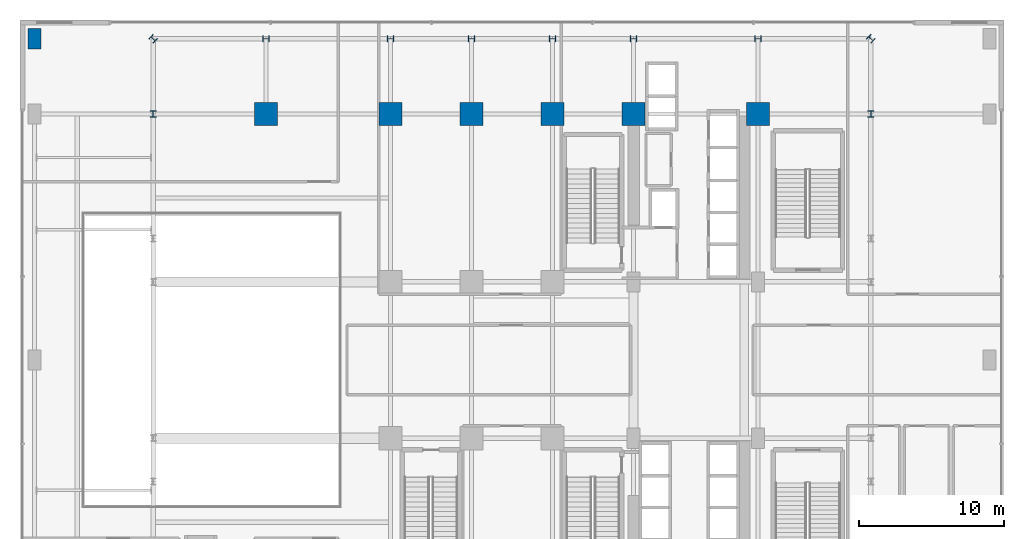
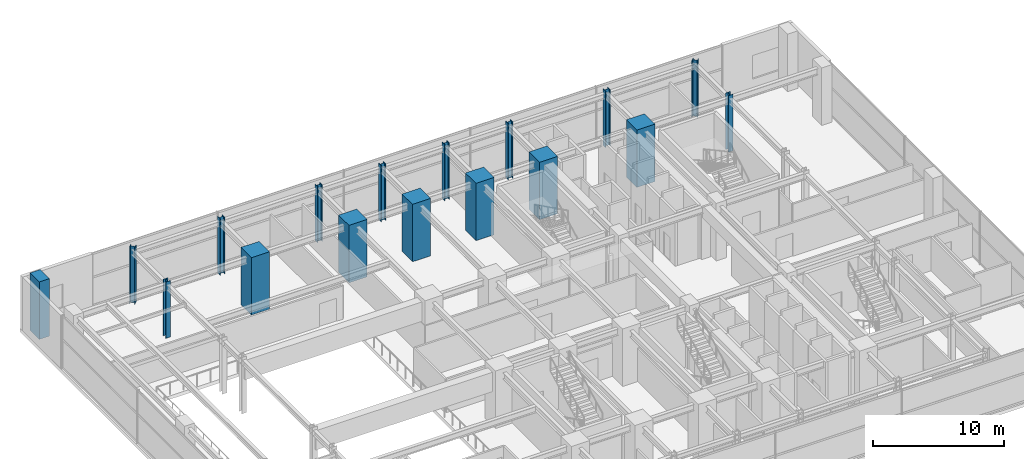
# One storey, part 2 of 35: 17 columns.
"""IFC4 building model written with IfcOpenShell, lengths in metres."""

from ifc_helpers import new_model, si_unit, direction, frame, origin, origin_2d, place, context, subcontext, project, spatial, rectangle, i_section, extrude, source, transform, mapped, material, material_profile, profile_set, type_object, element, save


model = new_model("IFC4")

# Units and contexts
model_context = context("Model", 3, precision=1e-05, world=origin(), true_north=direction((0.0, 1.0)))
body_context = subcontext(model_context, "Body", "Model", "MODEL_VIEW")
ifc_project = project(units=[si_unit("LENGTHUNIT", "METRE"), si_unit("AREAUNIT", "SQUARE_METRE"), si_unit("VOLUMEUNIT", "CUBIC_METRE"), si_unit("PLANEANGLEUNIT", "RADIAN"), si_unit("MASSUNIT", "GRAM", prefix="KILO")], contexts=[model_context])

# Site, building, storey
site_placement = place(None, origin())
site = spatial("IfcSite", under=ifc_project, at=site_placement, CompositionType="ELEMENT")
building_placement = place(site_placement, origin())
building = spatial("IfcBuilding", under=site, at=building_placement, Name="Nahalor Promenade Grand Hotel", CompositionType="ELEMENT")
storey_placement = place(building_placement, frame((0.0, 0.0, 21.60009765625)))
storey = spatial("IfcBuildingStorey", under=building, at=storey_placement, Name="L04", CompositionType="ELEMENT", Elevation=21.60009765625)

# Columns
ifc_material_1 = material(Name="Concrete B-70 (C60/75)", Category="concrete")
ifc_material_profile_1 = material_profile(ifc_material_1, rectangle(XDim=1.6, YDim=1.6, at=origin_2d()), Name="RC 1600x1600")
ifc_profile_set_1 = profile_set([ifc_material_profile_1], Name="Concrete B-70 (C60/75)")
column_type_1 = type_object("IfcColumnType", Name="Col-RC-1600", PredefinedType="COLUMN", material=ifc_profile_set_1)
shared_shape_1 = source(origin(), body_context, "Body", "SweptSolid", [
    extrude(rectangle(XDim=1.6, YDim=1.6, at=origin_2d()), origin(), (0.0, 0.0, 1.0), 5.35498046875),
])
for number, where, z_axis, x_axis, name in (
    (1, (-17.0, 17.0, 0.0), (0.0, 0.0, 1.0), (1.0, 0.0, 0.0), "COL-L04-I03"),
    (2, (-8.39990234375, 17.0, 0.0), (0.0, 0.0, 1.0), (1.0, 0.0, 0.0), "COL-L04-I13"),
    (3, (-2.800048828125, 17.0, 0.0), (0.0, 0.0, 1.0), (1.0, 0.0, 0.0), "COL-L04-I23"),
    (4, (2.800048828125, 17.0, 0.0), (0.0, 0.0, 1.0), (1.0, 0.0, 0.0), "COL-L04-I33"),
    (5, (8.39990234375, 17.0, 0.0), (0.0, 0.0, 1.0), (1.0, 0.0, 0.0), "COL-L04-I43"),
    (6, (17.0, 17.0, 0.0), (0.0, 0.0, 1.0), (1.0, 0.0, 0.0), "COL-L04-I53"),
):
    element("IfcColumn", number, at=place(storey_placement, frame(where, z_axis=z_axis, x_axis=x_axis)), inside=storey, type_object=column_type_1, Name=name, PredefinedType="COLUMN", context=body_context, shape_type="MappedRepresentation", body=[
        mapped(shared_shape_1, transform((0.0, 0.0, 0.0), scale=1.0)),
    ])
ifc_material_2 = material(Name="Concrete B-60 (C50/60)", Category="concrete")
ifc_material_profile_2 = material_profile(ifc_material_2, rectangle(XDim=0.9, YDim=1.4, at=origin_2d()), Name="RC 900x1400")
ifc_profile_set_2 = profile_set([ifc_material_profile_2], Name="Concrete B-60 (C50/60)")
column_type_2 = type_object("IfcColumnType", Name="Col-Pilaster-1400", PredefinedType="PILASTER", material=ifc_profile_set_2)
shared_shape_2 = source(origin(), body_context, "Body", "SweptSolid", [
    extrude(rectangle(XDim=0.9, YDim=1.4, at=origin_2d()), origin(), (0.0, 0.0, 1.0), 5.35498046875),
])
column_placement = place(storey_placement, frame((-33.0, 22.199951171875, 0.0), z_axis=(0.0, 0.0, 1.0), x_axis=(1.0, 0.0, 0.0)))
element("IfcColumn", 7, at=column_placement, inside=storey, type_object=column_type_2, Name="COL-L04-PC-W4", PredefinedType="PILASTER", context=body_context, shape_type="MappedRepresentation", body=[
    mapped(shared_shape_2, transform((0.0, 0.0, 0.0), scale=1.0)),
])
ifc_material_3 = material(Name="Steel S355J2", Category="steel")
ifc_material_profile_3 = material_profile(ifc_material_3, i_section(OverallWidth=0.416, OverallDepth=0.446, WebThickness=0.025, FlangeThickness=0.04, at=origin_2d()), Name="HD 400x509")
ifc_profile_set_3 = profile_set([ifc_material_profile_3], Name="Steel S355J2")
column_type_3 = type_object("IfcColumnType", Name="Col-Steel-HD509", PredefinedType="COLUMN", material=ifc_profile_set_3)
shared_shape_3 = source(origin(), body_context, "Body", "SweptSolid", [
    extrude(i_section(OverallWidth=0.416, OverallDepth=0.446, WebThickness=0.025, FlangeThickness=0.04, at=origin_2d()), origin(), (0.0, 0.0, 1.0), 5.2548828125),
])
for number, where, z_axis, x_axis, name in (
    (8, (-24.800048828125, 17.0, 0.0), (0.0, 0.0, 1.0), (1.0, 0.0, 0.0), "COL-L04-PW-W5"),
    (9, (24.800048828125, 17.0, 0.0), (0.0, 0.0, 1.0), (1.0, 0.0, 0.0), "COL-L04-PW-E5"),
    (10, (-17.0, 22.199951171875, 0.0), (0.0, 0.0, 1.0), (0.0, 1.0, 0.0), "COL-L04-PN-N0"),
    (11, (-8.39990234375, 22.199951171875, 0.0), (0.0, 0.0, 1.0), (0.0, 1.0, 0.0), "COL-L04-PN-N1"),
    (12, (-2.800048828125, 22.199951171875, 0.0), (0.0, 0.0, 1.0), (0.0, 1.0, 0.0), "COL-L04-PN-N2"),
    (13, (2.800048828125, 22.199951171875, 0.0), (0.0, 0.0, 1.0), (0.0, 1.0, 0.0), "COL-L04-PN-N3"),
    (14, (8.39990234375, 22.199951171875, 0.0), (0.0, 0.0, 1.0), (0.0, 1.0, 0.0), "COL-L04-PN-N4"),
    (15, (17.0, 22.199951171875, 0.0), (0.0, 0.0, 1.0), (0.0, 1.0, 0.0), "COL-L04-PN-N5"),
    (16, (-24.800048828125, 22.199951171875, 0.0), (0.0, 0.0, 1.0), (0.707106781187, 0.707106781187, 0.0), "COL-L04-CRN-NW"),
    (17, (24.800048828125, 22.199951171875, 0.0), (0.0, 0.0, 1.0), (0.707106781187, 0.707106781187, 0.0), "COL-L04-CRN-NE"),
):
    element("IfcColumn", number, at=place(storey_placement, frame(where, z_axis=z_axis, x_axis=x_axis)), inside=storey, type_object=column_type_3, Name=name, PredefinedType="COLUMN", context=body_context, shape_type="MappedRepresentation", body=[
        mapped(shared_shape_3, transform((0.0, 0.0, 0.0), scale=1.0)),
    ])

save(model, "model.ifc")
